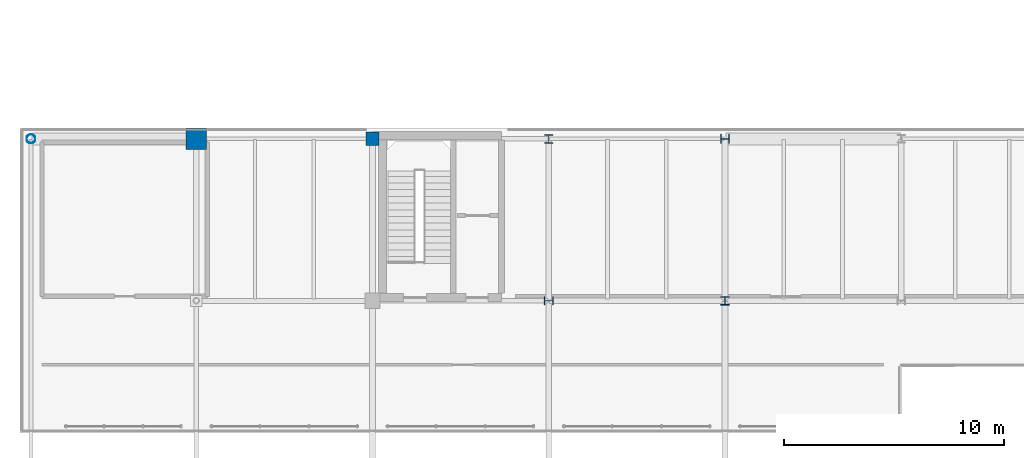
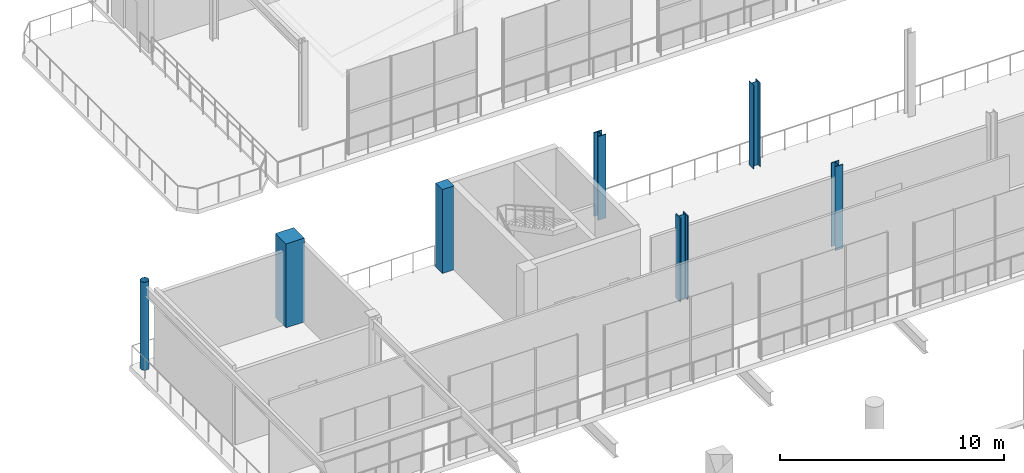
# One storey, part 3 of 70: 7 columns.
"""IFC4 building model written with IfcOpenShell, lengths in metres."""

import ifcopenshell
import ifcopenshell.guid

model = None  # the IFC model being written
_history = None  # IfcOwnerHistory: only IFC2X3 demands one
_inside = {}  # id of a spatial element -> (the spatial element, [elements in it])
_under = {}  # id of a project, library or spatial element -> (it, [spatial elements below it])
_declared = {}  # id of a project -> (the project, [libraries it declares])
_typed = {}  # id of a type object -> (the type object, [elements of that type])
_made_of = {}  # id of a material, layer set ... -> (it, [elements and type objects made of it])


def new_model(schema):
    """Start an empty IFC model of exactly this schema.

    Asked for "IFC4X3", IfcOpenShell would pick the latest addendum, in which some entities
    have other attributes; the version numbers below select the first issue.
    IFC2X3 requires an IfcOwnerHistory on every rooted entity: one is made here for all.
    """
    global model, _history
    if schema == "IFC4X3":
        model = ifcopenshell.file(schema_version=(4, 3, 0, 0))
    else:
        model = ifcopenshell.file(schema=schema)
    _inside.clear()
    _under.clear()
    _declared.clear()
    _typed.clear()
    _made_of.clear()
    _history = None
    if model.schema == "IFC2X3":
        org = make("IfcOrganization", Name="unknown")
        user = make(
            "IfcPersonAndOrganization",
            ThePerson=make("IfcPerson", FamilyName="unknown"),
            TheOrganization=org,
        )
        app = make(
            "IfcApplication",
            ApplicationDeveloper=org,
            Version="unknown",
            ApplicationFullName="unknown",
            ApplicationIdentifier="unknown",
        )
        _history = make(
            "IfcOwnerHistory",
            OwningUser=user,
            OwningApplication=app,
            ChangeAction="ADDED",
            CreationDate=0,
        )
    return model


def make(cls, **values):
    """One entity of the class cls with the attributes given. An attribute that is None is left unset."""
    return model.create_entity(
        cls, **{name: value for name, value in values.items() if value is not None}
    )


def rooted(cls, **values):
    """An entity with a GlobalId (a new one), such as an element, a storey or a relation."""
    return make(cls, GlobalId=ifcopenshell.guid.new(), OwnerHistory=_history, **values)


def si_unit(unit_type, name, prefix=None):
    """IfcSIUnit, for example si_unit("LENGTHUNIT", "METRE", prefix="MILLI")."""
    return make("IfcSIUnit", UnitType=unit_type, Prefix=prefix, Name=name)


def assignment(units):
    """IfcUnitAssignment: the units of a project."""
    return None if units is None else make("IfcUnitAssignment", Units=units)


def point(xyz):
    """IfcCartesianPoint."""
    return None if xyz is None else make("IfcCartesianPoint", Coordinates=xyz)


def direction(xyz):
    """IfcDirection."""
    return None if xyz is None else make("IfcDirection", DirectionRatios=xyz)


def frame(location, z_axis=None, x_axis=None):
    """IfcAxis2Placement3D, a coordinate frame: its origin and axes. An axis left out is left unset."""
    return make(
        "IfcAxis2Placement3D",
        Location=point(location),
        Axis=direction(z_axis),
        RefDirection=direction(x_axis),
    )


def frame_2d(location, x_axis=None):
    """IfcAxis2Placement2D, a coordinate frame in the plane: its origin and x axis."""
    return make(
        "IfcAxis2Placement2D", Location=point(location), RefDirection=direction(x_axis)
    )


def origin():
    """The frame at (0, 0, 0) with its axes left unset."""
    return frame((0.0, 0.0, 0.0))


def origin_2d():
    """The frame at (0, 0) in the plane with its x axis left unset."""
    return frame_2d((0.0, 0.0))


def place(relative_to, where):
    """IfcLocalPlacement: puts the frame where relative to a parent placement (None: the world)."""
    return make(
        "IfcLocalPlacement", PlacementRelTo=relative_to, RelativePlacement=where
    )


def context(
    kind, dimensions, precision=None, world=None, true_north=None, identifier=None
):
    """IfcGeometricRepresentationContext, for example the 3D "Model" context."""
    return make(
        "IfcGeometricRepresentationContext",
        ContextIdentifier=identifier,
        ContextType=kind,
        CoordinateSpaceDimension=dimensions,
        Precision=precision,
        WorldCoordinateSystem=world,
        TrueNorth=true_north,
    )


def subcontext(parent, identifier, kind, view, scale=None):
    """IfcGeometricRepresentationSubContext, for example "Body" below "Model"."""
    return make(
        "IfcGeometricRepresentationSubContext",
        ContextIdentifier=identifier,
        ContextType=kind,
        ParentContext=parent,
        TargetScale=scale,
        TargetView=view,
    )


def project(units=None, contexts=None):
    """IfcProject with its units and contexts."""
    return rooted(
        "IfcProject",
        Name="project",
        RepresentationContexts=contexts,
        UnitsInContext=assignment(units),
    )


def spatial(cls, under=None, at=None, **own):
    """A site, building, storey or space (cls), placed at a placement, below another one or the project."""
    s = rooted(cls, ObjectPlacement=at, **own)
    if under is not None:
        _under.setdefault(under.id(), (under, []))[1].append(s)
    return s


def profile(cls, at=None, kind="AREA", **sizes):
    """A parametric profile (cls). Its sizes go by their IFC names, for example OverallWidth=200.0."""
    return make(cls, ProfileType=kind, Position=at, **sizes)


def rectangle(**sizes):
    """IfcRectangleProfileDef."""
    return profile("IfcRectangleProfileDef", **sizes)


def hollow_circle(**sizes):
    """IfcCircleHollowProfileDef."""
    return profile("IfcCircleHollowProfileDef", **sizes)


def i_section(**sizes):
    """IfcIShapeProfileDef."""
    return profile("IfcIShapeProfileDef", **sizes)


def extrude(swept, where, along, depth):
    """IfcExtrudedAreaSolid: the profile swept, set in the frame where, extruded along a direction by depth."""
    return make(
        "IfcExtrudedAreaSolid",
        SweptArea=swept,
        Position=where,
        ExtrudedDirection=direction(along),
        Depth=depth,
    )


def shape(context_of_items, identifier, shape_type, items):
    """IfcShapeRepresentation: the items that make up one representation, for example the "Body"."""
    return make(
        "IfcShapeRepresentation",
        ContextOfItems=context_of_items,
        RepresentationIdentifier=identifier,
        RepresentationType=shape_type,
        Items=items,
    )


def material(Name=None, Category=None):
    """IfcMaterial."""
    return make("IfcMaterial", Name=Name, Category=Category)


def material_profile(
    of_material, cross_section, Name=None, Category=None, Priority=None
):
    """IfcMaterialProfile: a cross section and its material."""
    return make(
        "IfcMaterialProfile",
        Name=Name,
        Material=of_material,
        Profile=cross_section,
        Priority=Priority,
        Category=Category,
    )


def profile_set(profiles, Name=None, composite=None):
    """IfcMaterialProfileSet."""
    return make(
        "IfcMaterialProfileSet",
        Name=Name,
        MaterialProfiles=profiles,
        CompositeProfile=composite,
    )


def made_of(thing, what):
    """Note that an element or type object is made of a material, layer set ...; save() writes the relation."""
    if what is not None:
        _made_of.setdefault(what.id(), (what, []))[1].append(thing)
    return thing


def type_object(cls, material=None, **own):
    """A type object (cls), such as IfcWallType, which elements share."""
    return made_of(rooted(cls, **own), material)


def element(
    cls,
    number,
    at=None,
    inside=None,
    cuts=None,
    type_object=None,
    material=None,
    context=None,
    identifier="Body",
    shape_type=None,
    held_by="IfcProductDefinitionShape",
    body=None,
    shapes=None,
    **own,
):
    """One element of the class cls, such as IfcWall. Its Tag is "e" and its number.

    at: its placement. inside: the storey or other place that contains it. cuts: it is an
    opening in that element (IfcRelVoidsElement). A single representation is given by context,
    identifier, shape_type and body (its items); several are given by shapes. held_by: the class
    of the entity that holds the representations. save() writes the other relations.
    """
    e = rooted(cls, Tag="e%d" % number, ObjectPlacement=at, **own)
    if body is not None:
        shapes = [shape(context, identifier, shape_type, body)]
    if shapes is not None:
        e.Representation = make(held_by, Representations=shapes)
    if inside is not None:
        _inside.setdefault(inside.id(), (inside, []))[1].append(e)
    if cuts is not None:
        rooted(
            "IfcRelVoidsElement", RelatingBuildingElement=cuts, RelatedOpeningElement=e
        )
    if type_object is not None:
        _typed.setdefault(type_object.id(), (type_object, []))[1].append(e)
    return made_of(e, material)


def aggregate(whole, parts):
    """IfcRelAggregates: a whole, such as a stair, and the parts it consists of."""
    return rooted("IfcRelAggregates", RelatingObject=whole, RelatedObjects=parts)


def save(model, path):
    """Write the relations noted so far, then the file.

    IfcRelAggregates (storeys below a building ...), IfcRelContainedInSpatialStructure (elements
    in a storey), IfcRelDefinesByType, IfcRelAssociatesMaterial and IfcRelDeclares: one each for
    every whole, place, type object, material and project.
    """
    for whole, parts in _under.values():
        aggregate(whole, parts)
    for where, things in _inside.values():
        rooted(
            "IfcRelContainedInSpatialStructure",
            RelatedElements=things,
            RelatingStructure=where,
        )
    for kind, things in _typed.values():
        rooted("IfcRelDefinesByType", RelatedObjects=things, RelatingType=kind)
    for what, things in _made_of.values():
        rooted("IfcRelAssociatesMaterial", RelatedObjects=things, RelatingMaterial=what)
    for by, libraries in _declared.values():
        rooted("IfcRelDeclares", RelatingContext=by, RelatedDefinitions=libraries)
    model.write(path)


model = new_model("IFC4")

# Units and contexts
model_context = context("Model", 3, precision=1e-05, world=origin(), true_north=direction((0.0, 1.0)))
body_context = subcontext(model_context, "Body", "Model", "MODEL_VIEW")
ifc_project = project(units=[si_unit("LENGTHUNIT", "METRE"), si_unit("AREAUNIT", "SQUARE_METRE"), si_unit("VOLUMEUNIT", "CUBIC_METRE"), si_unit("PLANEANGLEUNIT", "RADIAN"), si_unit("MASSUNIT", "GRAM", prefix="KILO")], contexts=[model_context])

# Site, building, storey
site_placement = place(None, origin())
site = spatial("IfcSite", under=ifc_project, at=site_placement, CompositionType="ELEMENT")
building_placement = place(site_placement, origin())
building = spatial("IfcBuilding", under=site, at=building_placement, Name="Brisemont Oceanarium", CompositionType="ELEMENT")
storey_placement = place(building_placement, frame((0.0, 0.0, 10.199951171875)))
storey = spatial("IfcBuildingStorey", under=building, at=storey_placement, Name="L02", CompositionType="ELEMENT", Elevation=10.199951171875)

# Columns
ifc_material_1 = material(Name="Structural Steel ASTM A500 Gr.C", Category="steel")
ifc_material_profile_1 = material_profile(ifc_material_1, hollow_circle(Radius=0.202880859375, WallThickness=0.01171875, at=origin_2d()), Name="HSS16.000X0.500")
ifc_profile_set_1 = profile_set([ifc_material_profile_1], Name="Structural Steel ASTM A500 Gr.C")
column_type_1 = type_object("IfcColumnType", Name="COL-CHS16", PredefinedType="COLUMN", material=ifc_profile_set_1)
column_1_placement = place(storey_placement, frame((8.5, 31.35009765625, 0.0), z_axis=(0.0, 0.0, 1.0), x_axis=(0.0, 1.0, 0.0)))
element("IfcColumn", 1, at=column_1_placement, inside=storey, type_object=column_type_1, Name="V2 L02 column (0,3)", PredefinedType="COLUMN", context=body_context, shape_type="SweptSolid", body=[
    extrude(hollow_circle(Radius=0.202880859375, WallThickness=0.01171875, at=origin_2d()), origin(), (0.0, 0.0, 1.0), 4.800048828125),
])
ifc_material_2 = material(Name="Concrete C35/45", Category="concrete")
ifc_material_profile_2 = material_profile(ifc_material_2, rectangle(XDim=0.60009765625, YDim=0.60009765625, at=origin_2d()), Name="RC-COL-600X600")
ifc_profile_set_2 = profile_set([ifc_material_profile_2], Name="Concrete C35/45")
column_type_2 = type_object("IfcColumnType", Name="COL-RC600", PredefinedType="COLUMN", material=ifc_profile_set_2)
column_2_placement = place(storey_placement, frame((24.0, 31.35009765625, 0.0), z_axis=(0.0, 0.0, 1.0), x_axis=(0.0, 1.0, 0.0)))
element("IfcColumn", 2, at=column_2_placement, inside=storey, type_object=column_type_2, Name="V2 L02 column (2,3)", PredefinedType="COLUMN", context=body_context, shape_type="SweptSolid", body=[
    extrude(rectangle(XDim=0.60009765625, YDim=0.60009765625, at=origin_2d()), origin(), (0.0, 0.0, 1.0), 4.580078125),
])
ifc_material_3 = material(Name="Concrete C40/50", Category="concrete")
ifc_material_profile_3 = material_profile(ifc_material_3, rectangle(XDim=0.949951171875, YDim=0.949951171875, at=origin_2d()), Name="RC-COL-950X950")
ifc_profile_set_3 = profile_set([ifc_material_profile_3], Name="Concrete C40/50")
column_type_3 = type_object("IfcColumnType", Name="COL-RC950", PredefinedType="COLUMN", material=ifc_profile_set_3)
column_3_placement = place(storey_placement, frame((16.0, 31.35009765625, 0.0), z_axis=(0.0, 0.0, 1.0), x_axis=(1.0, 0.0, 0.0)))
element("IfcColumn", 3, at=column_3_placement, inside=storey, type_object=column_type_3, Name="V2 L02 column (1,3)", PredefinedType="COLUMN", context=body_context, shape_type="SweptSolid", body=[
    extrude(rectangle(XDim=0.949951171875, YDim=0.949951171875, at=origin_2d()), origin(), (0.0, 0.0, 1.0), 4.580078125),
])
ifc_material_4 = material(Name="Structural Steel ASTM A992 Gr.50", Category="steel")
ifc_material_profile_4 = material_profile(ifc_material_4, i_section(OverallWidth=0.39501953125, OverallDepth=0.3798828125, WebThickness=0.018798828125, FlangeThickness=0.0302734375, FilletRadius=0.014892578125, at=origin_2d()), Name="W14X159")
ifc_profile_set_4 = profile_set([ifc_material_profile_4], Name="Structural Steel ASTM A992 Gr.50")
column_type_4 = type_object("IfcColumnType", Name="COL-W14X159", PredefinedType="COLUMN", material=ifc_profile_set_4)
column_4_placement = place(storey_placement, frame((40.0, 31.35009765625, 0.0), z_axis=(0.0, 0.0, 1.0), x_axis=(0.0, 1.0, 0.0)))
element("IfcColumn", 4, at=column_4_placement, inside=storey, type_object=column_type_4, Name="V2 L02 column (4,3)", PredefinedType="COLUMN", context=body_context, shape_type="SweptSolid", body=[
    extrude(i_section(OverallWidth=0.39501953125, OverallDepth=0.3798828125, WebThickness=0.018798828125, FlangeThickness=0.0302734375, FilletRadius=0.014892578125, at=origin_2d()), origin(), (0.0, 0.0, 1.0), 4.580078125),
])
ifc_material_5 = material(Name="Structural Steel ASTM A992 Gr.50", Category="steel")
ifc_material_profile_5 = material_profile(ifc_material_5, i_section(OverallWidth=0.39892578125, OverallDepth=0.385986328125, WebThickness=0.02099609375, FlangeThickness=0.033203125, FilletRadius=0.014892578125, at=origin_2d()), Name="W14X176")
ifc_profile_set_5 = profile_set([ifc_material_profile_5], Name="Structural Steel ASTM A992 Gr.50")
column_type_5 = type_object("IfcColumnType", Name="COL-W14X176", PredefinedType="COLUMN", material=ifc_profile_set_5)
column_5_placement = place(storey_placement, frame((40.0, 24.0, 0.0), z_axis=(0.0, 0.0, 1.0), x_axis=(1.0, 0.0, 0.0)))
element("IfcColumn", 5, at=column_5_placement, inside=storey, type_object=column_type_5, Name="V2 L02 column (4,2)", PredefinedType="COLUMN", context=body_context, shape_type="SweptSolid", body=[
    extrude(i_section(OverallWidth=0.39892578125, OverallDepth=0.385986328125, WebThickness=0.02099609375, FlangeThickness=0.033203125, FilletRadius=0.014892578125, at=origin_2d()), origin(), (0.0, 0.0, 1.0), 4.580078125),
])
ifc_material_6 = material(Name="Structural Steel ASTM A992 Gr.50", Category="steel")
ifc_material_profile_6 = material_profile(ifc_material_6, i_section(OverallWidth=0.404052734375, OverallDepth=0.406982421875, WebThickness=0.027099609375, FlangeThickness=0.043701171875, FilletRadius=0.014892578125, at=origin_2d()), Name="W14X233")
ifc_profile_set_6 = profile_set([ifc_material_profile_6], Name="Structural Steel ASTM A992 Gr.50")
column_type_6 = type_object("IfcColumnType", Name="COL-W14X233", PredefinedType="COLUMN", material=ifc_profile_set_6)
column_6_placement = place(storey_placement, frame((32.0, 31.35009765625, 0.0), z_axis=(0.0, 0.0, 1.0), x_axis=(1.0, 0.0, 0.0)))
element("IfcColumn", 6, at=column_6_placement, inside=storey, type_object=column_type_6, Name="V2 L02 column (3,3)", PredefinedType="COLUMN", context=body_context, shape_type="SweptSolid", body=[
    extrude(i_section(OverallWidth=0.404052734375, OverallDepth=0.406982421875, WebThickness=0.027099609375, FlangeThickness=0.043701171875, FilletRadius=0.014892578125, at=origin_2d()), origin(), (0.0, 0.0, 1.0), 4.580078125),
])
ifc_material_7 = material(Name="Structural Steel ASTM A992 Gr.50", Category="steel")
ifc_material_profile_7 = material_profile(ifc_material_7, i_section(OverallWidth=0.406005859375, OverallDepth=0.416015625, WebThickness=0.02978515625, FlangeThickness=0.048095703125, FilletRadius=0.014892578125, at=origin_2d()), Name="W14X257")
ifc_profile_set_7 = profile_set([ifc_material_profile_7], Name="Structural Steel ASTM A992 Gr.50")
column_type_7 = type_object("IfcColumnType", Name="COL-W14X257", PredefinedType="COLUMN", material=ifc_profile_set_7)
column_7_placement = place(storey_placement, frame((32.0, 24.0, 0.0), z_axis=(0.0, 0.0, 1.0), x_axis=(0.0, 1.0, 0.0)))
element("IfcColumn", 7, at=column_7_placement, inside=storey, type_object=column_type_7, Name="V2 L02 column (3,2)", PredefinedType="COLUMN", context=body_context, shape_type="SweptSolid", body=[
    extrude(i_section(OverallWidth=0.406005859375, OverallDepth=0.416015625, WebThickness=0.02978515625, FlangeThickness=0.048095703125, FilletRadius=0.014892578125, at=origin_2d()), origin(), (0.0, 0.0, 1.0), 4.580078125),
])

save(model, "model.ifc")
